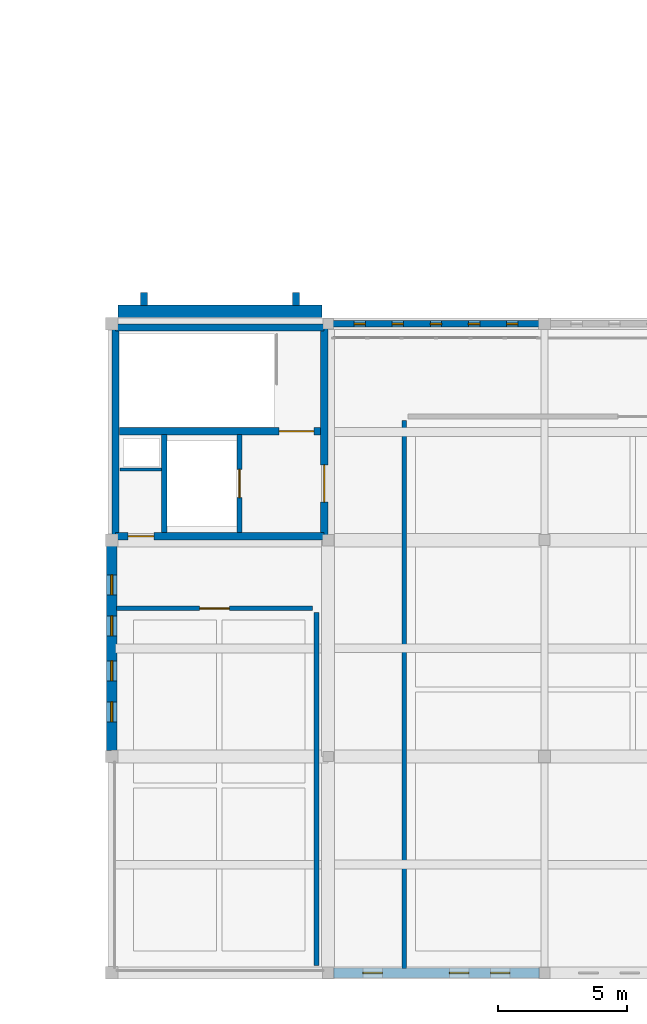
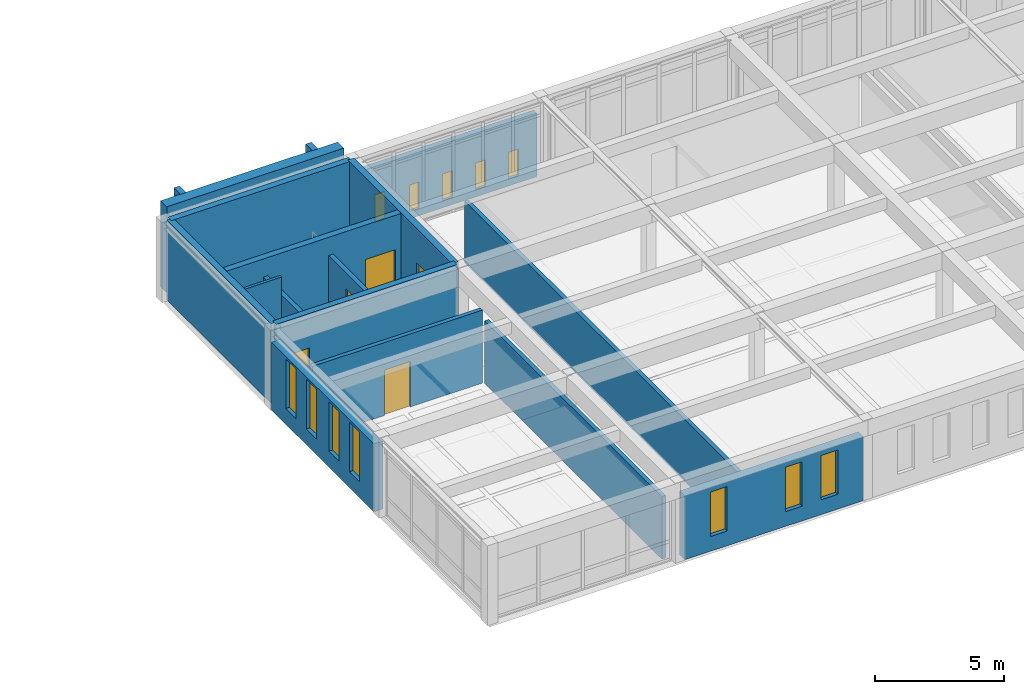
# One storey, part 84 of 110: 17 walls, 12 windows, 5 doors, 17 openings.
"""IFC4 building model written with IfcOpenShell, lengths in metres."""

from ifc_helpers import new_model, si_unit, direction, frame, frame_2d, origin, place, context, subcontext, project, spatial, rectangle, extrude, material, layer, layer_set, type_object, element, fill, save


model = new_model("IFC4")

# Units and contexts
model_context = context("Model", 3, precision=1e-05, world=origin(), true_north=direction((0.0, 1.0)))
body_context = subcontext(model_context, "Body", "Model", "MODEL_VIEW")
ifc_project = project(units=[si_unit("LENGTHUNIT", "METRE"), si_unit("AREAUNIT", "SQUARE_METRE"), si_unit("VOLUMEUNIT", "CUBIC_METRE"), si_unit("PLANEANGLEUNIT", "RADIAN"), si_unit("MASSUNIT", "GRAM", prefix="KILO")], contexts=[model_context])

# Site, building, storey
site_placement = place(None, origin())
site = spatial("IfcSite", under=ifc_project, at=site_placement, CompositionType="ELEMENT")
building_placement = place(site_placement, origin())
building = spatial("IfcBuilding", under=site, at=building_placement, Name="Kveldsbrygga Polytechnic", CompositionType="ELEMENT")
storey_placement = place(building_placement, frame((0.0, 0.0, 9.860107421875)))
storey = spatial("IfcBuildingStorey", under=building, at=storey_placement, Name="L02", CompositionType="ELEMENT", Elevation=9.860107421875)

# Wall
ifc_material_1 = material(Name="Fired clay brick masonry M10", Category="masonry")
ifc_layer_1 = layer(ifc_material_1, 0.47998046875)
ifc_layer_set_1 = layer_set([ifc_layer_1], Name="Fired clay brick masonry M10")
wall_type_1 = type_object("IfcWallType", Name="EW-BAST-480", PredefinedType="SOLIDWALL", material=ifc_layer_set_1)
wall_1_placement = place(storey_placement, frame((75.840087890625, 25.679931640625, 0.0), z_axis=(0.0, 0.0, 1.0), x_axis=(1.0, 0.0, 0.0)))
element("IfcWall", 1, at=wall_1_placement, inside=storey, type_object=wall_type_1, Name="Corner Stair Bastion Wall BAST-L02-X-09-03", PredefinedType="SOLIDWALL", context=body_context, shape_type="SweptSolid", body=[
    extrude(rectangle(XDim=7.919921875, YDim=0.47998046875, at=frame_2d((3.9599609375, 0.0))), origin(), (0.0, 0.0, 1.0), 4.079833984375),
])

# Wall, openings, windows
ifc_layer_2 = layer(ifc_material_1, 0.39990234375)
ifc_layer_set_2 = layer_set([ifc_layer_2], Name="Fired clay brick masonry M10")
wall_type_2 = type_object("IfcWallType", Name="EW-BRICK-400", PredefinedType="SOLIDWALL", material=ifc_layer_set_2)
wall_2_placement = place(storey_placement, frame((75.60009765625, 8.625, 0.0), z_axis=(0.0, 0.0, 1.0), x_axis=(0.0, 1.0, 0.0)))
wall_2 = element("IfcWall", 2, at=wall_2_placement, inside=storey, type_object=wall_type_2, Name="Exterior Brick Wall EW-L02-Y-09-01", PredefinedType="SOLIDWALL", context=body_context, shape_type="SweptSolid", body=[
    extrude(rectangle(XDim=7.949951171875, YDim=0.39990234375, at=frame_2d((3.97509765625, 0.0))), origin(), (0.0, 0.0, 1.0), 3.2099609375),
])
opening_1_placement = place(wall_2_placement, frame((1.12060546875, 0.0, 0.75)))
opening_1 = element("IfcOpeningElement", 3, at=opening_1_placement, cuts=wall_2, Name="Opening W-08", PredefinedType="OPENING", context=body_context, shape_type="SweptSolid", body=[
    extrude(rectangle(XDim=0.780029296875, YDim=2.35009765625, at=frame_2d((0.39013671875, 1.175048828125))), frame((0.0, 0.2099609375, 0.0), z_axis=(0.0, -1.0, 0.0), x_axis=(1.0, 0.0, 0.0)), (0.0, 0.0, 1.0), 0.419921875),
])
opening_2_placement = place(wall_2_placement, frame((2.71044921875, 0.0, 0.75)))
opening_2 = element("IfcOpeningElement", 4, at=opening_2_placement, cuts=wall_2, Name="Opening W-08", PredefinedType="OPENING", context=body_context, shape_type="SweptSolid", body=[
    extrude(rectangle(XDim=0.780029296875, YDim=2.35009765625, at=frame_2d((0.39013671875, 1.175048828125))), frame((0.0, 0.2099609375, 0.0), z_axis=(0.0, -1.0, 0.0), x_axis=(1.0, 0.0, 0.0)), (0.0, 0.0, 1.0), 0.419921875),
])
opening_3_placement = place(wall_2_placement, frame((4.45947265625, 0.0, 0.75)))
opening_3 = element("IfcOpeningElement", 5, at=opening_3_placement, cuts=wall_2, Name="Opening W-08", PredefinedType="OPENING", context=body_context, shape_type="SweptSolid", body=[
    extrude(rectangle(XDim=0.780029296875, YDim=2.35009765625, at=frame_2d((0.39013671875, 1.175048828125))), frame((0.0, 0.2099609375, 0.0), z_axis=(0.0, -1.0, 0.0), x_axis=(1.0, 0.0, 0.0)), (0.0, 0.0, 1.0), 0.419921875),
])
opening_4_placement = place(wall_2_placement, frame((6.049560546875, 0.0, 0.75)))
opening_4 = element("IfcOpeningElement", 6, at=opening_4_placement, cuts=wall_2, Name="Opening W-08", PredefinedType="OPENING", context=body_context, shape_type="SweptSolid", body=[
    extrude(rectangle(XDim=0.780029296875, YDim=2.35009765625, at=frame_2d((0.39013671875, 1.175048828125))), frame((0.0, 0.2099609375, 0.0), z_axis=(0.0, -1.0, 0.0), x_axis=(1.0, 0.0, 0.0)), (0.0, 0.0, 1.0), 0.419921875),
])
ifc_material_2 = material(Name="Insulated triple low-E glass", Category="glass")
window_type_1 = type_object("IfcWindowType", Name="WN-LANC-078x235", PartitioningType="DOUBLE_PANEL_VERTICAL", PredefinedType="WINDOW", material=ifc_material_2)
window_1_placement = place(opening_1_placement, origin())
window_1 = element("IfcWindow", 7, at=window_1_placement, inside=storey, type_object=window_type_1, Name="Gothic Lancet Window WIN-L02-Y-09-01-1", OverallHeight=2.35009765625, OverallWidth=0.780029296875, PartitioningType="DOUBLE_PANEL_VERTICAL", PredefinedType="WINDOW", context=body_context, shape_type="SweptSolid", body=[
    extrude(rectangle(XDim=0.780029296875, YDim=2.35009765625, at=frame_2d((0.39013671875, 1.175048828125))), frame((0.0, 0.030029296875, 0.0), z_axis=(0.0, -1.0, 0.0), x_axis=(1.0, 0.0, 0.0)), (0.0, 0.0, 1.0), 0.06005859375),
])
fill(opening_1, window_1)
window_2_placement = place(opening_2_placement, origin())
window_2 = element("IfcWindow", 8, at=window_2_placement, inside=storey, type_object=window_type_1, Name="Gothic Lancet Window WIN-L02-Y-09-01-2", OverallHeight=2.35009765625, OverallWidth=0.780029296875, PartitioningType="DOUBLE_PANEL_VERTICAL", PredefinedType="WINDOW", context=body_context, shape_type="SweptSolid", body=[
    extrude(rectangle(XDim=0.780029296875, YDim=2.35009765625, at=frame_2d((0.39013671875, 1.175048828125))), frame((0.0, 0.030029296875, 0.0), z_axis=(0.0, -1.0, 0.0), x_axis=(1.0, 0.0, 0.0)), (0.0, 0.0, 1.0), 0.06005859375),
])
fill(opening_2, window_2)
window_3_placement = place(opening_3_placement, origin())
window_3 = element("IfcWindow", 9, at=window_3_placement, inside=storey, type_object=window_type_1, Name="Gothic Lancet Window WIN-L02-Y-09-01-3", OverallHeight=2.35009765625, OverallWidth=0.780029296875, PartitioningType="DOUBLE_PANEL_VERTICAL", PredefinedType="WINDOW", context=body_context, shape_type="SweptSolid", body=[
    extrude(rectangle(XDim=0.780029296875, YDim=2.35009765625, at=frame_2d((0.39013671875, 1.175048828125))), frame((0.0, 0.030029296875, 0.0), z_axis=(0.0, -1.0, 0.0), x_axis=(1.0, 0.0, 0.0)), (0.0, 0.0, 1.0), 0.06005859375),
])
fill(opening_3, window_3)
window_4_placement = place(opening_4_placement, origin())
window_4 = element("IfcWindow", 10, at=window_4_placement, inside=storey, type_object=window_type_1, Name="Gothic Lancet Window WIN-L02-Y-09-01-4", OverallHeight=2.35009765625, OverallWidth=0.780029296875, PartitioningType="DOUBLE_PANEL_VERTICAL", PredefinedType="WINDOW", context=body_context, shape_type="SweptSolid", body=[
    extrude(rectangle(XDim=0.780029296875, YDim=2.35009765625, at=frame_2d((0.39013671875, 1.175048828125))), frame((0.0, 0.030029296875, 0.0), z_axis=(0.0, -1.0, 0.0), x_axis=(1.0, 0.0, 0.0)), (0.0, 0.0, 1.0), 0.06005859375),
])
fill(opening_4, window_4)

wall_3_placement = place(storey_placement, frame((84.2099609375, 0.0, 0.0), z_axis=(0.0, 0.0, 1.0), x_axis=(1.0, 0.0, 0.0)))
wall_3 = element("IfcWall", 11, at=wall_3_placement, inside=storey, type_object=wall_type_2, Name="Exterior Brick Wall EW-L02-X-10-00", PredefinedType="SOLIDWALL", context=body_context, shape_type="SweptSolid", body=[
    extrude(rectangle(XDim=7.9951171875, YDim=0.39990234375, at=frame_2d((3.99755859375, 0.0))), origin(), (0.0, 0.0, 1.0), 3.019775390625),
])
opening_5_placement = place(wall_3_placement, frame((1.14404296875, 0.0, 0.699951171875)))
opening_5 = element("IfcOpeningElement", 12, at=opening_5_placement, cuts=wall_3, Name="Opening W-27", PredefinedType="OPENING", context=body_context, shape_type="SweptSolid", body=[
    extrude(rectangle(XDim=0.75, YDim=2.10009765625, at=frame_2d((0.375, 1.050048828125))), frame((0.0, 0.2099609375, 0.0), z_axis=(0.0, -1.0, 0.0), x_axis=(1.0, 0.0, 0.0)), (0.0, 0.0, 1.0), 0.419921875),
])
opening_6_placement = place(wall_3_placement, frame((4.501953125, 0.0, 0.699951171875)))
opening_6 = element("IfcOpeningElement", 13, at=opening_6_placement, cuts=wall_3, Name="Opening W-27", PredefinedType="OPENING", context=body_context, shape_type="SweptSolid", body=[
    extrude(rectangle(XDim=0.75, YDim=2.10009765625, at=frame_2d((0.375, 1.050048828125))), frame((0.0, 0.2099609375, 0.0), z_axis=(0.0, -1.0, 0.0), x_axis=(1.0, 0.0, 0.0)), (0.0, 0.0, 1.0), 0.419921875),
])
opening_7_placement = place(wall_3_placement, frame((6.100830078125, 0.0, 0.699951171875)))
opening_7 = element("IfcOpeningElement", 14, at=opening_7_placement, cuts=wall_3, Name="Opening W-27", PredefinedType="OPENING", context=body_context, shape_type="SweptSolid", body=[
    extrude(rectangle(XDim=0.75, YDim=2.10009765625, at=frame_2d((0.375, 1.050048828125))), frame((0.0, 0.2099609375, 0.0), z_axis=(0.0, -1.0, 0.0), x_axis=(1.0, 0.0, 0.0)), (0.0, 0.0, 1.0), 0.419921875),
])
window_type_2 = type_object("IfcWindowType", Name="WN-ATTIC-075x210", PartitioningType="DOUBLE_PANEL_VERTICAL", PredefinedType="WINDOW", material=ifc_material_2)
window_5_placement = place(opening_5_placement, origin())
window_5 = element("IfcWindow", 15, at=window_5_placement, inside=storey, type_object=window_type_2, Name="Gothic Lancet Window WIN-L02-X-10-00-1", OverallHeight=2.10009765625, OverallWidth=0.75, PartitioningType="DOUBLE_PANEL_VERTICAL", PredefinedType="WINDOW", context=body_context, shape_type="SweptSolid", body=[
    extrude(rectangle(XDim=0.75, YDim=2.10009765625, at=frame_2d((0.375, 1.050048828125))), frame((0.0, 0.030029296875, 0.0), z_axis=(0.0, -1.0, 0.0), x_axis=(1.0, 0.0, 0.0)), (0.0, 0.0, 1.0), 0.06005859375),
])
fill(opening_5, window_5)
window_6_placement = place(opening_6_placement, origin())
window_6 = element("IfcWindow", 16, at=window_6_placement, inside=storey, type_object=window_type_2, Name="Gothic Lancet Window WIN-L02-X-10-00-3", OverallHeight=2.10009765625, OverallWidth=0.75, PartitioningType="DOUBLE_PANEL_VERTICAL", PredefinedType="WINDOW", context=body_context, shape_type="SweptSolid", body=[
    extrude(rectangle(XDim=0.75, YDim=2.10009765625, at=frame_2d((0.375, 1.050048828125))), frame((0.0, 0.030029296875, 0.0), z_axis=(0.0, -1.0, 0.0), x_axis=(1.0, 0.0, 0.0)), (0.0, 0.0, 1.0), 0.06005859375),
])
fill(opening_6, window_6)
window_7_placement = place(opening_7_placement, origin())
window_7 = element("IfcWindow", 17, at=window_7_placement, inside=storey, type_object=window_type_2, Name="Gothic Lancet Window WIN-L02-X-10-00-4", OverallHeight=2.10009765625, OverallWidth=0.75, PartitioningType="DOUBLE_PANEL_VERTICAL", PredefinedType="WINDOW", context=body_context, shape_type="SweptSolid", body=[
    extrude(rectangle(XDim=0.75, YDim=2.10009765625, at=frame_2d((0.375, 1.050048828125))), frame((0.0, 0.030029296875, 0.0), z_axis=(0.0, -1.0, 0.0), x_axis=(1.0, 0.0, 0.0)), (0.0, 0.0, 1.0), 0.06005859375),
])
fill(opening_7, window_7)

# Walls
ifc_layer_3 = layer(ifc_material_1, 0.260009765625)
ifc_layer_set_3 = layer_set([ifc_layer_3], Name="Fired clay brick masonry M10")
wall_type_3 = type_object("IfcWallType", Name="EW-BUTT-260", PredefinedType="SOLIDWALL", material=ifc_layer_set_3)
for number, where, z_axis, x_axis, name in (
    (18, (76.85009765625, 25.89990234375, 0.0), (0.0, 0.0, 1.0), (0.0, 1.0, 0.0), "Gothic Brick Buttress Pier BCLAS-L02-X-09-03-1"),
    (19, (82.75, 25.89990234375, 0.0), (0.0, 0.0, 1.0), (0.0, 1.0, 0.0), "Gothic Brick Buttress Pier BCLAS-L02-X-09-03-2"),
):
    element("IfcWall", number, at=place(storey_placement, frame(where, z_axis=z_axis, x_axis=x_axis)), inside=storey, type_object=wall_type_3, Name=name, PredefinedType="SOLIDWALL", context=body_context, shape_type="SweptSolid", body=[
        extrude(rectangle(XDim=0.52001953125, YDim=0.260009765625, at=frame_2d((0.260009765625, 0.0))), origin(), (0.0, 0.0, 1.0), 4.079833984375),
    ])

# Wall, openings, windows
ifc_layer_4 = layer(ifc_material_1, 0.239990234375)
ifc_layer_set_4 = layer_set([ifc_layer_4], Name="Fired clay brick masonry M10")
wall_type_4 = type_object("IfcWallType", Name="EW-SCRN-240", PredefinedType="SOLIDWALL", material=ifc_layer_set_4)
wall_4_placement = place(storey_placement, frame((84.18505859375, 25.199951171875, 0.0), z_axis=(0.0, 0.0, 1.0), x_axis=(1.0, 0.0, 0.0)))
wall_4 = element("IfcWall", 20, at=wall_4_placement, inside=storey, type_object=wall_type_4, Name="Perforated Brick Corridor Screen Wall SCRW-L02-X-10-03", PredefinedType="SOLIDWALL", context=body_context, shape_type="SweptSolid", body=[
    extrude(rectangle(XDim=8.0048828125, YDim=0.239990234375, at=frame_2d((4.00244140625, 0.0))), origin(), (0.0, 0.0, 1.0), 3.010009765625),
])
opening_8_placement = place(wall_4_placement, frame((0.820556640625, 0.0, 0.35009765625)))
opening_8 = element("IfcOpeningElement", 21, at=opening_8_placement, cuts=wall_4, Name="Opening W-48", PredefinedType="OPENING", context=body_context, shape_type="SweptSolid", body=[
    extrude(rectangle(XDim=0.43994140625, YDim=1.25, at=frame_2d((0.219970703125, 0.625))), frame((0.0, 0.1298828125, 0.0), z_axis=(0.0, -1.0, 0.0), x_axis=(1.0, 0.0, 0.0)), (0.0, 0.0, 1.0), 0.260009765625),
])
opening_9_placement = place(wall_4_placement, frame((2.301513671875, 0.0, 0.35009765625)))
opening_9 = element("IfcOpeningElement", 22, at=opening_9_placement, cuts=wall_4, Name="Opening W-48", PredefinedType="OPENING", context=body_context, shape_type="SweptSolid", body=[
    extrude(rectangle(XDim=0.43994140625, YDim=1.25, at=frame_2d((0.219970703125, 0.625))), frame((0.0, 0.1298828125, 0.0), z_axis=(0.0, -1.0, 0.0), x_axis=(1.0, 0.0, 0.0)), (0.0, 0.0, 1.0), 0.260009765625),
])
opening_10_placement = place(wall_4_placement, frame((3.782470703125, 0.0, 0.35009765625)))
opening_10 = element("IfcOpeningElement", 23, at=opening_10_placement, cuts=wall_4, Name="Opening W-48", PredefinedType="OPENING", context=body_context, shape_type="SweptSolid", body=[
    extrude(rectangle(XDim=0.43994140625, YDim=1.25, at=frame_2d((0.219970703125, 0.625))), frame((0.0, 0.1298828125, 0.0), z_axis=(0.0, -1.0, 0.0), x_axis=(1.0, 0.0, 0.0)), (0.0, 0.0, 1.0), 0.260009765625),
])
opening_11_placement = place(wall_4_placement, frame((5.263427734375, 0.0, 0.35009765625)))
opening_11 = element("IfcOpeningElement", 24, at=opening_11_placement, cuts=wall_4, Name="Opening W-48", PredefinedType="OPENING", context=body_context, shape_type="SweptSolid", body=[
    extrude(rectangle(XDim=0.43994140625, YDim=1.25, at=frame_2d((0.219970703125, 0.625))), frame((0.0, 0.1298828125, 0.0), z_axis=(0.0, -1.0, 0.0), x_axis=(1.0, 0.0, 0.0)), (0.0, 0.0, 1.0), 0.260009765625),
])
opening_12_placement = place(wall_4_placement, frame((6.744384765625, 0.0, 0.35009765625)))
opening_12 = element("IfcOpeningElement", 25, at=opening_12_placement, cuts=wall_4, Name="Opening W-48", PredefinedType="OPENING", context=body_context, shape_type="SweptSolid", body=[
    extrude(rectangle(XDim=0.43994140625, YDim=1.25, at=frame_2d((0.219970703125, 0.625))), frame((0.0, 0.1298828125, 0.0), z_axis=(0.0, -1.0, 0.0), x_axis=(1.0, 0.0, 0.0)), (0.0, 0.0, 1.0), 0.260009765625),
])
window_type_3 = type_object("IfcWindowType", Name="WN-SCRN-044x125", PartitioningType="SINGLE_PANEL", PredefinedType="WINDOW", material=ifc_material_2)
window_8_placement = place(opening_8_placement, origin())
window_8 = element("IfcWindow", 26, at=window_8_placement, inside=storey, type_object=window_type_3, Name="Perforated Screen Aperture L02-X-10-03-1", OverallHeight=1.25, OverallWidth=0.43994140625, PartitioningType="SINGLE_PANEL", PredefinedType="WINDOW", context=body_context, shape_type="SweptSolid", body=[
    extrude(rectangle(XDim=0.43994140625, YDim=1.25, at=frame_2d((0.219970703125, 0.625))), frame((0.0, 0.030029296875, 0.0), z_axis=(0.0, -1.0, 0.0), x_axis=(1.0, 0.0, 0.0)), (0.0, 0.0, 1.0), 0.06005859375),
])
fill(opening_8, window_8)
window_9_placement = place(opening_9_placement, origin())
window_9 = element("IfcWindow", 27, at=window_9_placement, inside=storey, type_object=window_type_3, Name="Perforated Screen Aperture L02-X-10-03-2", OverallHeight=1.25, OverallWidth=0.43994140625, PartitioningType="SINGLE_PANEL", PredefinedType="WINDOW", context=body_context, shape_type="SweptSolid", body=[
    extrude(rectangle(XDim=0.43994140625, YDim=1.25, at=frame_2d((0.219970703125, 0.625))), frame((0.0, 0.030029296875, 0.0), z_axis=(0.0, -1.0, 0.0), x_axis=(1.0, 0.0, 0.0)), (0.0, 0.0, 1.0), 0.06005859375),
])
fill(opening_9, window_9)
window_10_placement = place(opening_10_placement, origin())
window_10 = element("IfcWindow", 28, at=window_10_placement, inside=storey, type_object=window_type_3, Name="Perforated Screen Aperture L02-X-10-03-3", OverallHeight=1.25, OverallWidth=0.43994140625, PartitioningType="SINGLE_PANEL", PredefinedType="WINDOW", context=body_context, shape_type="SweptSolid", body=[
    extrude(rectangle(XDim=0.43994140625, YDim=1.25, at=frame_2d((0.219970703125, 0.625))), frame((0.0, 0.030029296875, 0.0), z_axis=(0.0, -1.0, 0.0), x_axis=(1.0, 0.0, 0.0)), (0.0, 0.0, 1.0), 0.06005859375),
])
fill(opening_10, window_10)
window_11_placement = place(opening_11_placement, origin())
window_11 = element("IfcWindow", 29, at=window_11_placement, inside=storey, type_object=window_type_3, Name="Perforated Screen Aperture L02-X-10-03-4", OverallHeight=1.25, OverallWidth=0.43994140625, PartitioningType="SINGLE_PANEL", PredefinedType="WINDOW", context=body_context, shape_type="SweptSolid", body=[
    extrude(rectangle(XDim=0.43994140625, YDim=1.25, at=frame_2d((0.219970703125, 0.625))), frame((0.0, 0.030029296875, 0.0), z_axis=(0.0, -1.0, 0.0), x_axis=(1.0, 0.0, 0.0)), (0.0, 0.0, 1.0), 0.06005859375),
])
fill(opening_11, window_11)
window_12_placement = place(opening_12_placement, origin())
window_12 = element("IfcWindow", 30, at=window_12_placement, inside=storey, type_object=window_type_3, Name="Perforated Screen Aperture L02-X-10-03-5", OverallHeight=1.25, OverallWidth=0.43994140625, PartitioningType="SINGLE_PANEL", PredefinedType="WINDOW", context=body_context, shape_type="SweptSolid", body=[
    extrude(rectangle(XDim=0.43994140625, YDim=1.25, at=frame_2d((0.219970703125, 0.625))), frame((0.0, 0.030029296875, 0.0), z_axis=(0.0, -1.0, 0.0), x_axis=(1.0, 0.0, 0.0)), (0.0, 0.0, 1.0), 0.06005859375),
])
fill(opening_12, window_12)

# Wall, opening, door
ifc_material_3 = material(Name="Gypsum acoustic stud partition")
ifc_layer_5 = layer(ifc_material_3, 0.179931640625)
ifc_layer_set_5 = layer_set([ifc_layer_5], Name="Gypsum acoustic stud partition")
wall_type_5 = type_object("IfcWallType", Name="IW-CORR-180", PredefinedType="PARTITIONING", material=ifc_layer_set_5)
wall_5_placement = place(storey_placement, frame((75.780029296875, 14.14990234375, 0.0), z_axis=(0.0, 0.0, 1.0), x_axis=(1.0, 0.0, 0.0)))
wall_5 = element("IfcWall", 31, at=wall_5_placement, inside=storey, type_object=wall_type_5, Name="Partition Wall IW-SP-L02-SOCW-N1", PredefinedType="PARTITIONING", context=body_context, shape_type="SweptSolid", body=[
    extrude(rectangle(XDim=7.619873046875, YDim=0.179931640625, at=frame_2d((3.81005859375, 0.0))), origin(), (0.0, 0.0, 1.0), 3.449951171875),
])
opening_13_placement = place(wall_5_placement, frame((3.235107421875, 0.0, 0.0)))
opening_13 = element("IfcOpeningElement", 32, at=opening_13_placement, cuts=wall_5, Name="Opening ID-L02-062", PredefinedType="OPENING", context=body_context, shape_type="SweptSolid", body=[
    extrude(rectangle(XDim=1.14990234375, YDim=2.14990234375, at=frame_2d((0.574951171875, 1.074951171875))), frame((0.0, 0.10009765625, 0.0), z_axis=(0.0, -1.0, 0.0), x_axis=(1.0, 0.0, 0.0)), (0.0, 0.0, 1.0), 0.199951171875),
])
ifc_material_4 = material(Name="Acoustic oak timber", Category="wood")
door_type_1 = type_object("IfcDoorType", Name="ID-STD-115x215", OperationType="NOTDEFINED", PredefinedType="DOOR", material=ifc_material_4)
door_1_placement = place(opening_13_placement, origin())
door_1 = element("IfcDoor", 33, at=door_1_placement, inside=storey, type_object=door_type_1, Name="Interior Door ID-L02-062", OperationType="SINGLE_SWING_RIGHT", OverallHeight=2.14990234375, OverallWidth=1.14990234375, PredefinedType="DOOR", context=body_context, shape_type="SweptSolid", body=[
    extrude(rectangle(XDim=1.14990234375, YDim=2.14990234375, at=frame_2d((0.574951171875, 1.074951171875))), frame((0.0, 0.02490234375, 0.0), z_axis=(0.0, -1.0, 0.0), x_axis=(1.0, 0.0, 0.0)), (0.0, 0.0, 1.0), 0.050048828125),
])
fill(opening_13, door_1)

# Walls
wall_6_placement = place(storey_placement, frame((83.550048828125, 0.280029296875, 0.0), z_axis=(0.0, 0.0, 1.0), x_axis=(0.0, 1.0, 0.0)))
element("IfcWall", 34, at=wall_6_placement, inside=storey, type_object=wall_type_5, Name="Partition Wall IW-SP-L02-SOCW-E1", PredefinedType="PARTITIONING", context=body_context, shape_type="SweptSolid", body=[
    extrude(rectangle(XDim=13.719970703125, YDim=0.179931640625, at=frame_2d((6.85986328125, 0.0))), origin(), (0.0, 0.0, 1.0), 2.9599609375),
])
wall_7_placement = place(storey_placement, frame((86.949951171875, 0.179931640625, 0.0), z_axis=(0.0, 0.0, 1.0), x_axis=(0.0, 1.0, 0.0)))
element("IfcWall", 35, at=wall_7_placement, inside=storey, type_object=wall_type_5, Name="Partition Wall IW-SP-L02-SOC-W1", PredefinedType="PARTITIONING", context=body_context, shape_type="SweptSolid", body=[
    extrude(rectangle(XDim=21.27001953125, YDim=0.179931640625, at=frame_2d((10.635009765625, 0.0))), origin(), (0.0, 0.0, 1.0), 2.919921875),
])
ifc_material_5 = material(Name="Moisture-resistant masonry M10", Category="masonry")
ifc_layer_6 = layer(ifc_material_5, 0.1298828125)
ifc_layer_set_6 = layer_set([ifc_layer_6], Name="Moisture-resistant masonry M10")
wall_type_6 = type_object("IfcWallType", Name="IW-SAN-130", PredefinedType="PARTITIONING", material=ifc_layer_set_6)
wall_8_placement = place(storey_placement, frame((75.919921875, 19.5400390625, 0.0), z_axis=(0.0, 0.0, 1.0), x_axis=(1.0, 0.0, 0.0)))
element("IfcWall", 36, at=wall_8_placement, inside=storey, type_object=wall_type_6, Name="Core AWC Divider C6-L02-W-RSR", PredefinedType="PARTITIONING", context=body_context, shape_type="SweptSolid", body=[
    extrude(rectangle(XDim=1.6201171875, YDim=0.1298828125, at=frame_2d((0.81005859375, 0.0))), origin(), (0.0, 0.0, 1.0), 3.77978515625),
])

# Wall, opening, door
ifc_material_6 = material(Name="Concrete C45/55", Category="concrete")
ifc_layer_7 = layer(ifc_material_6, 0.280029296875)
ifc_layer_set_7 = layer_set([ifc_layer_7], Name="Concrete C45/55")
wall_type_7 = type_object("IfcWallType", Name="WL-CORE-280", PredefinedType="SHEAR", material=ifc_layer_set_7)
wall_9_placement = place(storey_placement, frame((75.75, 16.949951171875, 0.0), z_axis=(0.0, 0.0, 1.0), x_axis=(1.0, 0.0, 0.0)))
wall_9 = element("IfcWall", 37, at=wall_9_placement, inside=storey, type_object=wall_type_7, Name="Core C6 Shear Wall C6-L02-SW-S", PredefinedType="SHEAR", context=body_context, shape_type="SweptSolid", body=[
    extrude(rectangle(XDim=8.10009765625, YDim=0.280029296875, at=frame_2d((4.050048828125, 0.0))), origin(), (0.0, 0.0, 1.0), 3.77978515625),
])
opening_14_placement = place(wall_9_placement, frame((0.485107421875, 0.0, 0.0)))
opening_14 = element("IfcOpeningElement", 38, at=opening_14_placement, cuts=wall_9, Name="Opening ID-C6-L02-AWC", PredefinedType="OPENING", context=body_context, shape_type="SweptSolid", body=[
    extrude(rectangle(XDim=1.0, YDim=2.14990234375, at=frame_2d((0.5, 1.074951171875))), frame((0.0, 0.14990234375, 0.0), z_axis=(0.0, -1.0, 0.0), x_axis=(1.0, 0.0, 0.0)), (0.0, 0.0, 1.0), 0.300048828125),
])
door_type_2 = type_object("IfcDoorType", Name="ID-AWC-100x215", OperationType="NOTDEFINED", PredefinedType="DOOR", material=ifc_material_4)
door_2_placement = place(opening_14_placement, origin())
door_2 = element("IfcDoor", 39, at=door_2_placement, inside=storey, type_object=door_type_2, Name="Accessible WC Door ID-C6-L02-AWC", OperationType="SINGLE_SWING_LEFT", OverallHeight=2.14990234375, OverallWidth=1.0, PredefinedType="DOOR", context=body_context, shape_type="SweptSolid", body=[
    extrude(rectangle(XDim=1.0, YDim=2.14990234375, at=frame_2d((0.5, 1.074951171875))), frame((0.0, 0.02490234375, 0.0), z_axis=(0.0, -1.0, 0.0), x_axis=(1.0, 0.0, 0.0)), (0.0, 0.0, 1.0), 0.050048828125),
])
fill(opening_14, door_2)

# Walls
for number, where, z_axis, x_axis, name in (
    (40, (75.75, 25.050048828125, 0.0), (0.0, 0.0, 1.0), (1.0, 0.0, 0.0), "Core C6 Shear Wall C6-L02-SW-N"),
    (41, (75.75, 16.949951171875, 0.0), (0.0, 0.0, 1.0), (0.0, 1.0, 0.0), "Core C6 Shear Wall C6-L02-SW-W"),
):
    element("IfcWall", number, at=place(storey_placement, frame(where, z_axis=z_axis, x_axis=x_axis)), inside=storey, type_object=wall_type_7, Name=name, PredefinedType="SHEAR", context=body_context, shape_type="SweptSolid", body=[
        extrude(rectangle(XDim=8.10009765625, YDim=0.280029296875, at=frame_2d((4.050048828125, 0.0))), origin(), (0.0, 0.0, 1.0), 3.77978515625),
    ])

# Wall, opening, door
wall_10_placement = place(storey_placement, frame((83.85009765625, 16.949951171875, 0.0), z_axis=(0.0, 0.0, 1.0), x_axis=(0.0, 1.0, 0.0)))
wall_10 = element("IfcWall", 42, at=wall_10_placement, inside=storey, type_object=wall_type_7, Name="Core C6 Shear Wall C6-L02-SW-E", PredefinedType="SHEAR", context=body_context, shape_type="SweptSolid", body=[
    extrude(rectangle(XDim=8.10009765625, YDim=0.280029296875, at=frame_2d((4.050048828125, 0.0))), origin(), (0.0, 0.0, 1.0), 3.77978515625),
])
opening_15_placement = place(wall_10_placement, frame((1.324951171875, 0.0, 0.0)))
opening_15 = element("IfcOpeningElement", 43, at=opening_15_placement, cuts=wall_10, Name="Opening FD-C6-L02-LOB", PredefinedType="OPENING", context=body_context, shape_type="SweptSolid", body=[
    extrude(rectangle(XDim=1.449951171875, YDim=2.14990234375, at=frame_2d((0.72509765625, 1.074951171875))), frame((0.0, 0.14990234375, 0.0), z_axis=(0.0, -1.0, 0.0), x_axis=(1.0, 0.0, 0.0)), (0.0, 0.0, 1.0), 0.300048828125),
])
ifc_material_7 = material(Name="Powder-coated galvanised steel", Category="steel")
door_type_3 = type_object("IfcDoorType", Name="ID-LOBBY-145x215", OperationType="DOUBLE_DOOR_SINGLE_SWING", PredefinedType="DOOR", material=ifc_material_7)
door_3_placement = place(opening_15_placement, origin())
door_3 = element("IfcDoor", 44, at=door_3_placement, inside=storey, type_object=door_type_3, Name="Core Lobby Fire Door FD-C6-L02-LOB", OperationType="DOUBLE_DOOR_SINGLE_SWING", OverallHeight=2.14990234375, OverallWidth=1.449951171875, PredefinedType="DOOR", context=body_context, shape_type="SweptSolid", body=[
    extrude(rectangle(XDim=1.449951171875, YDim=2.14990234375, at=frame_2d((0.72509765625, 1.074951171875))), frame((0.0, 0.02490234375, 0.0), z_axis=(0.0, -1.0, 0.0), x_axis=(1.0, 0.0, 0.0)), (0.0, 0.0, 1.0), 0.050048828125),
])
fill(opening_15, door_3)

wall_11_placement = place(storey_placement, frame((75.89990234375, 21.030029296875, 0.0), z_axis=(0.0, 0.0, 1.0), x_axis=(1.0, 0.0, 0.0)))
wall_11 = element("IfcWall", 45, at=wall_11_placement, inside=storey, type_object=wall_type_7, Name="Core C6 Shear Wall C6-L02-W-DIV", PredefinedType="SHEAR", context=body_context, shape_type="SweptSolid", body=[
    extrude(rectangle(XDim=7.800048828125, YDim=0.280029296875, at=frame_2d((3.89990234375, 0.0))), origin(), (0.0, 0.0, 1.0), 3.77978515625),
])
opening_16_placement = place(wall_11_placement, frame((6.199951171875, 0.0, 0.0)))
opening_16 = element("IfcOpeningElement", 46, at=opening_16_placement, cuts=wall_11, Name="Opening FD-C6-L02-ST", PredefinedType="OPENING", context=body_context, shape_type="SweptSolid", body=[
    extrude(rectangle(XDim=1.35009765625, YDim=2.14990234375, at=frame_2d((0.675048828125, 1.074951171875))), frame((0.0, 0.14990234375, 0.0), z_axis=(0.0, -1.0, 0.0), x_axis=(1.0, 0.0, 0.0)), (0.0, 0.0, 1.0), 0.300048828125),
])
door_type_4 = type_object("IfcDoorType", Name="ID-STAIR-135x215", OperationType="NOTDEFINED", PredefinedType="DOOR", material=ifc_material_7)
door_4_placement = place(opening_16_placement, origin())
door_4 = element("IfcDoor", 47, at=door_4_placement, inside=storey, type_object=door_type_4, Name="Stair Fire Door FD-C6-L02-ST", OperationType="SINGLE_SWING_RIGHT", OverallHeight=2.14990234375, OverallWidth=1.35009765625, PredefinedType="DOOR", context=body_context, shape_type="SweptSolid", body=[
    extrude(rectangle(XDim=1.35009765625, YDim=2.14990234375, at=frame_2d((0.675048828125, 1.074951171875))), frame((0.0, 0.02490234375, 0.0), z_axis=(0.0, -1.0, 0.0), x_axis=(1.0, 0.0, 0.0)), (0.0, 0.0, 1.0), 0.050048828125),
])
fill(opening_16, door_4)

ifc_material_8 = material(Name="Concrete C35/45", Category="concrete")
ifc_layer_8 = layer(ifc_material_8, 0.199951171875)
ifc_layer_set_8 = layer_set([ifc_layer_8], Name="Concrete C35/45")
wall_type_8 = type_object("IfcWallType", Name="WL-SHFT-200", PredefinedType="SHEAR", material=ifc_layer_set_8)
wall_12_placement = place(storey_placement, frame((80.56005859375, 17.10009765625, 0.0), z_axis=(0.0, 0.0, 1.0), x_axis=(0.0, 1.0, 0.0)))
wall_12 = element("IfcWall", 48, at=wall_12_placement, inside=storey, type_object=wall_type_8, Name="Lift Front Wall C6-L02-W-LFR", PredefinedType="SHEAR", context=body_context, shape_type="SweptSolid", body=[
    extrude(rectangle(XDim=3.7998046875, YDim=0.199951171875, at=frame_2d((1.89990234375, 0.0))), origin(), (0.0, 0.0, 1.0), 2.919921875),
])
opening_17_placement = place(wall_12_placement, frame((1.35009765625, 0.0, 0.0)))
opening_17 = element("IfcOpeningElement", 49, at=opening_17_placement, cuts=wall_12, Name="Opening LD-LP-6", PredefinedType="OPENING", context=body_context, shape_type="SweptSolid", body=[
    extrude(rectangle(XDim=1.10009765625, YDim=2.14990234375, at=frame_2d((0.550048828125, 1.074951171875))), frame((0.0, 0.10986328125, 0.0), z_axis=(0.0, -1.0, 0.0), x_axis=(1.0, 0.0, 0.0)), (0.0, 0.0, 1.0), 0.219970703125),
])
ifc_material_9 = material(Name="Brushed stainless steel EN 1.4401", Category="steel")
door_type_5 = type_object("IfcDoorType", Name="LD-PAX-110x215", OperationType="SLIDING_TO_LEFT", PredefinedType="DOOR", material=ifc_material_9)
door_5_placement = place(opening_17_placement, origin())
door_5 = element("IfcDoor", 50, at=door_5_placement, inside=storey, type_object=door_type_5, Name="Lift Landing Sliding Door LD-LP-6-L02", OperationType="SLIDING_TO_LEFT", OverallHeight=2.14990234375, OverallWidth=1.10009765625, PredefinedType="DOOR", context=body_context, shape_type="SweptSolid", body=[
    extrude(rectangle(XDim=1.10009765625, YDim=2.14990234375, at=frame_2d((0.550048828125, 1.074951171875))), frame((0.0, 0.02490234375, 0.0), z_axis=(0.0, -1.0, 0.0), x_axis=(1.0, 0.0, 0.0)), (0.0, 0.0, 1.0), 0.050048828125),
])
fill(opening_17, door_5)

# Wall
wall_13_placement = place(storey_placement, frame((77.639892578125, 17.10009765625, 0.0), z_axis=(0.0, 0.0, 1.0), x_axis=(0.0, 1.0, 0.0)))
element("IfcWall", 51, at=wall_13_placement, inside=storey, type_object=wall_type_8, Name="Lift Back Wall C6-L02-W-LBK", PredefinedType="SHEAR", context=body_context, shape_type="SweptSolid", body=[
    extrude(rectangle(XDim=3.7998046875, YDim=0.199951171875, at=frame_2d((1.89990234375, 0.0))), origin(), (0.0, 0.0, 1.0), 2.919921875),
])

save(model, "model.ifc")
